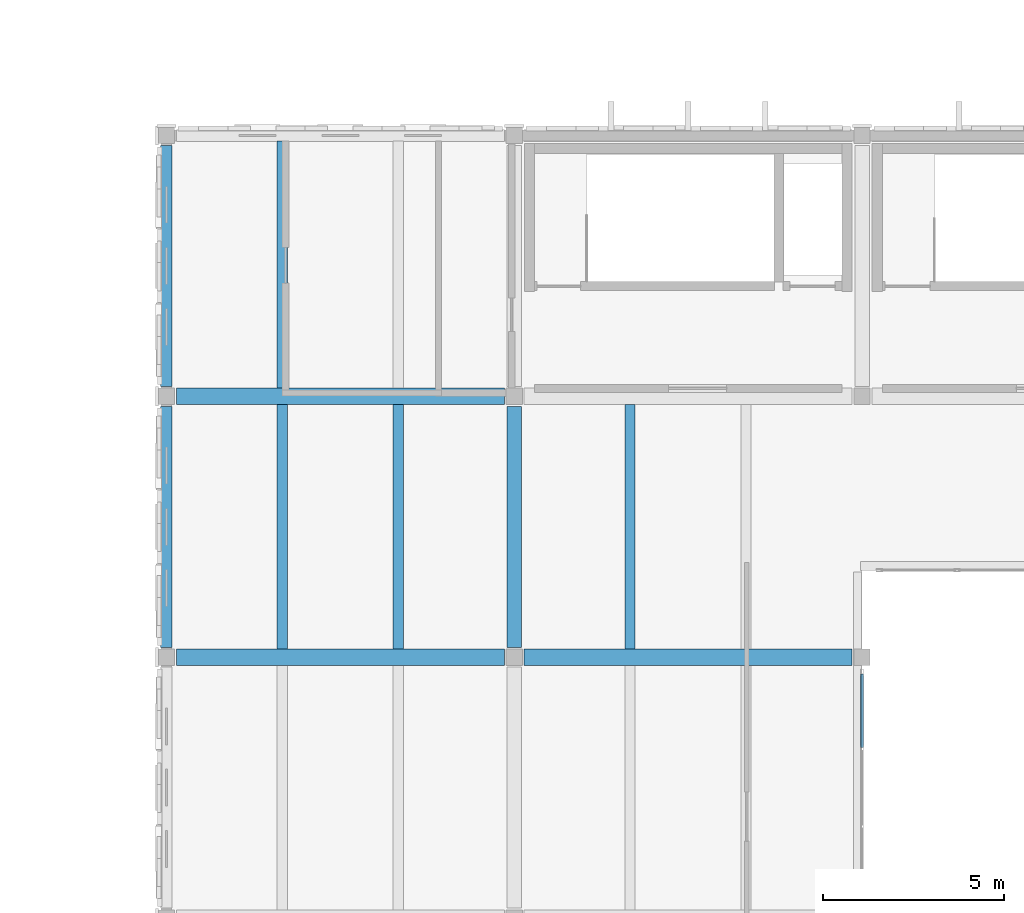
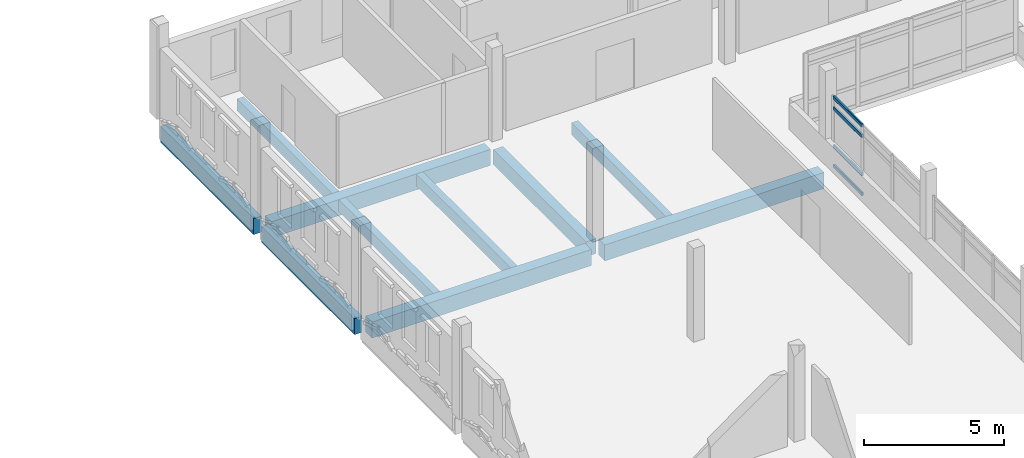
# One storey, part 7 of 50: 10 beams, 4 members, 1 element without a shape of its own.
"""IFC4 building model written with IfcOpenShell, lengths in metres."""

from ifc_helpers import new_model, si_unit, direction, frame, origin, origin_2d, place, context, subcontext, project, spatial, rectangle, hollow_rectangle, extrude, material, layer, layer_set, material_profile, profile_set, type_object, element, aggregate, save


model = new_model("IFC4")

# Units and contexts
model_context = context("Model", 3, precision=1e-05, world=origin(), true_north=direction((0.0, 1.0)))
body_context = subcontext(model_context, "Body", "Model", "MODEL_VIEW")
ifc_project = project(units=[si_unit("LENGTHUNIT", "METRE"), si_unit("AREAUNIT", "SQUARE_METRE"), si_unit("VOLUMEUNIT", "CUBIC_METRE"), si_unit("PLANEANGLEUNIT", "RADIAN"), si_unit("MASSUNIT", "GRAM", prefix="KILO")], contexts=[model_context])

# Site, building, storey
site_placement = place(None, origin())
site = spatial("IfcSite", under=ifc_project, at=site_placement, CompositionType="ELEMENT")
building_placement = place(site_placement, origin())
building = spatial("IfcBuilding", under=site, at=building_placement, Name="Asteropetra Specialist Clinic", CompositionType="ELEMENT")
storey_placement = place(building_placement, frame((0.0, 0.0, 16.659912109375)))
storey = spatial("IfcBuildingStorey", under=building, at=storey_placement, Name="L04", CompositionType="ELEMENT", Elevation=16.659912109375)

# Beams
ifc_material_1 = material(Name="Concrete C35/45", Category="concrete")
ifc_material_profile_1 = material_profile(ifc_material_1, rectangle(XDim=0.39990234375, YDim=0.64990234375, at=origin_2d()), Name="RCB 400x650")
ifc_profile_set_1 = profile_set([ifc_material_profile_1], Name="Concrete C35/45")
beam_type_1 = type_object("IfcBeamType", Name="BM-RC400x650", PredefinedType="BEAM", material=ifc_profile_set_1)
beam_1_placement = place(storey_placement, frame((115.199951171875, 33.875, -0.625), z_axis=(0.0, 1.0, 0.0), x_axis=(-1.0, 0.0, 0.0)))
element("IfcBeam", 1, at=beam_1_placement, inside=storey, type_object=beam_type_1, Name="Beam BBM07-1764", PredefinedType="BEAM", context=body_context, shape_type="SweptSolid", body=[
    extrude(rectangle(XDim=0.39990234375, YDim=0.64990234375, at=origin_2d()), origin(), (0.0, 0.0, 1.0), 6.64990234375),
])
ifc_material_2 = material(Name="Concrete C35/45", Category="concrete")
ifc_material_profile_2 = material_profile(ifc_material_2, rectangle(XDim=0.449951171875, YDim=0.699951171875, at=origin_2d()), Name="RCB 450x700")
ifc_profile_set_2 = profile_set([ifc_material_profile_2], Name="Concrete C35/45")
beam_type_2 = type_object("IfcBeamType", Name="BM-RC450x700", PredefinedType="BEAM", material=ifc_profile_set_2)
beam_2_placement = place(storey_placement, frame((105.875, 33.60009765625, -0.64990234375), z_axis=(1.0, 0.0, 0.0), x_axis=(0.0, 1.0, 0.0)))
element("IfcBeam", 2, at=beam_2_placement, inside=storey, type_object=beam_type_2, Name="Beam BBM05-1717", PredefinedType="BEAM", context=body_context, shape_type="SweptSolid", body=[
    extrude(rectangle(XDim=0.449951171875, YDim=0.699951171875, at=origin_2d()), origin(), (0.0, 0.0, 1.0), 9.050048828125),
])
beam_3_placement = place(storey_placement, frame((115.47509765625, 33.60009765625, -0.64990234375), z_axis=(1.0, 0.0, 0.0), x_axis=(0.0, 1.0, 0.0)))
element("IfcBeam", 3, at=beam_3_placement, inside=storey, type_object=beam_type_2, Name="Beam BBM05-1718", PredefinedType="BEAM", context=body_context, shape_type="SweptSolid", body=[
    extrude(rectangle(XDim=0.449951171875, YDim=0.699951171875, at=origin_2d()), origin(), (0.0, 0.0, 1.0), 9.0498046875),
])
beam_4_placement = place(storey_placement, frame((105.875, 40.800048828125, -0.64990234375), z_axis=(1.0, 0.0, 0.0), x_axis=(0.0, 1.0, 0.0)))
element("IfcBeam", 4, at=beam_4_placement, inside=storey, type_object=beam_type_2, Name="Beam BBM05-1719", PredefinedType="BEAM", context=body_context, shape_type="SweptSolid", body=[
    extrude(rectangle(XDim=0.449951171875, YDim=0.699951171875, at=origin_2d()), origin(), (0.0, 0.0, 1.0), 9.050048828125),
])

# Curtain wall, members
ifc_material_3 = material(Name="Aluminium and low-E glass", Category="aluminium")
ifc_layer = layer(ifc_material_3, 0.14990234375)
ifc_layer_set = layer_set([ifc_layer], Name="Aluminium and low-E glass")
curtain_wall_type = type_object("IfcCurtainWallType", Name="CW-SYS-11", PredefinedType="USERDEFINED", material=ifc_layer_set)
curtain_wall_placement = place(storey_placement, origin())
curtain_wall = element("IfcCurtainWall", 5, at=curtain_wall_placement, inside=storey, type_object=curtain_wall_type, Name="Curtain Wall CW-093", ObjectType="STICK GLAZED COLONNADE", PredefinedType="USERDEFINED")
ifc_material_4 = material(Name="Aluminium 6063-T6", Category="aluminium")
ifc_material_profile_3 = material_profile(ifc_material_4, hollow_rectangle(XDim=0.074951171875, YDim=0.14990234375, WallThickness=0.00390625, InnerFilletRadius=0.00390625, OuterFilletRadius=0.008056640625, at=origin_2d()), Name="TRN 150x75x4.0")
ifc_profile_set_3 = profile_set([ifc_material_profile_3], Name="Aluminium 6063-T6")
member_type = type_object("IfcMemberType", Name="CWT-150x75", PredefinedType="USERDEFINED", material=ifc_profile_set_3)
member_1_placement = place(storey_placement, frame((124.800048828125, 33.139892578125, 0.03759765625), z_axis=(0.0, -1.0, 0.0), x_axis=(1.0, 0.0, 0.0)))
member_1 = element("IfcMember", 6, at=member_1_placement, type_object=member_type, Name="CW-093 transom 1.1", ObjectType="TRANSOM", PredefinedType="USERDEFINED", context=body_context, shape_type="SweptSolid", body=[
    extrude(hollow_rectangle(XDim=0.074951171875, YDim=0.14990234375, WallThickness=0.00390625, InnerFilletRadius=0.00390625, OuterFilletRadius=0.008056640625, at=origin_2d()), origin(), (0.0, 0.0, 1.0), 2.03076171875),
])
member_2_placement = place(storey_placement, frame((124.800048828125, 33.139892578125, 0.900146484375), z_axis=(0.0, -1.0, 0.0), x_axis=(1.0, 0.0, 0.0)))
member_2 = element("IfcMember", 7, at=member_2_placement, type_object=member_type, Name="CW-093 transom 1.2", ObjectType="TRANSOM", PredefinedType="USERDEFINED", context=body_context, shape_type="SweptSolid", body=[
    extrude(hollow_rectangle(XDim=0.074951171875, YDim=0.14990234375, WallThickness=0.00390625, InnerFilletRadius=0.00390625, OuterFilletRadius=0.008056640625, at=origin_2d()), origin(), (0.0, 0.0, 1.0), 2.03076171875),
])
member_3_placement = place(storey_placement, frame((124.800048828125, 33.139892578125, 2.56005859375), z_axis=(0.0, -1.0, 0.0), x_axis=(1.0, 0.0, 0.0)))
member_3 = element("IfcMember", 8, at=member_3_placement, type_object=member_type, Name="CW-093 transom 1.3", ObjectType="TRANSOM", PredefinedType="USERDEFINED", context=body_context, shape_type="SweptSolid", body=[
    extrude(hollow_rectangle(XDim=0.074951171875, YDim=0.14990234375, WallThickness=0.00390625, InnerFilletRadius=0.00390625, OuterFilletRadius=0.008056640625, at=origin_2d()), origin(), (0.0, 0.0, 1.0), 2.03076171875),
])
member_4_placement = place(storey_placement, frame((124.800048828125, 33.139892578125, 3.022705078125), z_axis=(0.0, -1.0, 0.0), x_axis=(1.0, 0.0, 0.0)))
member_4 = element("IfcMember", 9, at=member_4_placement, type_object=member_type, Name="CW-093 transom 1.4", ObjectType="TRANSOM", PredefinedType="USERDEFINED", context=body_context, shape_type="SweptSolid", body=[
    extrude(hollow_rectangle(XDim=0.074951171875, YDim=0.14990234375, WallThickness=0.00390625, InnerFilletRadius=0.00390625, OuterFilletRadius=0.008056640625, at=origin_2d()), origin(), (0.0, 0.0, 1.0), 2.03076171875),
])
aggregate(curtain_wall, [member_1, member_2, member_3, member_4])

# Beams
ifc_material_5 = material(Name="Concrete C35/45", Category="concrete")
ifc_material_profile_4 = material_profile(ifc_material_5, rectangle(XDim=0.280029296875, YDim=0.52001953125, at=origin_2d()), Name="RCJ 280x520")
ifc_profile_set_4 = profile_set([ifc_material_profile_4], Name="Concrete C35/45")
beam_type_3 = type_object("IfcBeamType", Name="JST-RC280x520", PredefinedType="JOIST", material=ifc_profile_set_4)
for number, where, z_axis, x_axis, name in (
    (10, (108.800048828125, 33.824951171875, -0.559814453125), (0.0, 1.0, 0.0), (-1.0, 0.0, 0.0), "Joist JJST01-1765"),
    (11, (112.0, 33.824951171875, -0.559814453125), (0.0, 1.0, 0.0), (-1.0, 0.0, 0.0), "Joist JJST01-1766"),
    (12, (118.39990234375, 33.824951171875, -0.559814453125), (0.0, 1.0, 0.0), (-1.0, 0.0, 0.0), "Joist JJST01-1767"),
):
    element("IfcBeam", number, at=place(storey_placement, frame(where, z_axis=z_axis, x_axis=x_axis)), inside=storey, type_object=beam_type_3, Name=name, PredefinedType="JOIST", context=body_context, shape_type="SweptSolid", body=[
        extrude(rectangle(XDim=0.280029296875, YDim=0.52001953125, at=origin_2d()), origin(), (0.0, 0.0, 1.0), 6.75),
    ])
beam_5_placement = place(storey_placement, frame((108.800048828125, 41.02490234375, -0.559814453125), z_axis=(0.0, 1.0, 0.0), x_axis=(-1.0, 0.0, 0.0)))
element("IfcBeam", 13, at=beam_5_placement, inside=storey, type_object=beam_type_3, Name="Joist JJST01-1773", PredefinedType="JOIST", context=body_context, shape_type="SweptSolid", body=[
    extrude(rectangle(XDim=0.280029296875, YDim=0.52001953125, at=origin_2d()), origin(), (0.0, 0.0, 1.0), 6.815185546875),
])
ifc_material_6 = material(Name="Concrete C35/45", Category="concrete")
ifc_material_profile_5 = material_profile(ifc_material_6, rectangle(XDim=0.320068359375, YDim=0.699951171875, at=origin_2d()), Name="RCS 320x700")
ifc_profile_set_5 = profile_set([ifc_material_profile_5], Name="Concrete C35/45")
beam_type_4 = type_object("IfcBeamType", Name="SPN-RC320x700", PredefinedType="SPANDREL", material=ifc_profile_set_5)
beam_6_placement = place(storey_placement, frame((105.60009765625, 33.875, -0.64990234375), z_axis=(0.0, 1.0, 0.0), x_axis=(-1.0, 0.0, 0.0)))
element("IfcBeam", 14, at=beam_6_placement, inside=storey, type_object=beam_type_4, Name="Beam BSPN02-1763", PredefinedType="SPANDREL", context=body_context, shape_type="SweptSolid", body=[
    extrude(rectangle(XDim=0.320068359375, YDim=0.699951171875, at=origin_2d()), origin(), (0.0, 0.0, 1.0), 6.64990234375),
])
beam_7_placement = place(storey_placement, frame((105.60009765625, 41.074951171875, -0.64990234375), z_axis=(0.0, 1.0, 0.0), x_axis=(-1.0, 0.0, 0.0)))
element("IfcBeam", 15, at=beam_7_placement, inside=storey, type_object=beam_type_4, Name="Beam BSPN02-1769", PredefinedType="SPANDREL", context=body_context, shape_type="SweptSolid", body=[
    extrude(rectangle(XDim=0.320068359375, YDim=0.699951171875, at=origin_2d()), origin(), (0.0, 0.0, 1.0), 6.650146484375),
])

save(model, "model.ifc")
